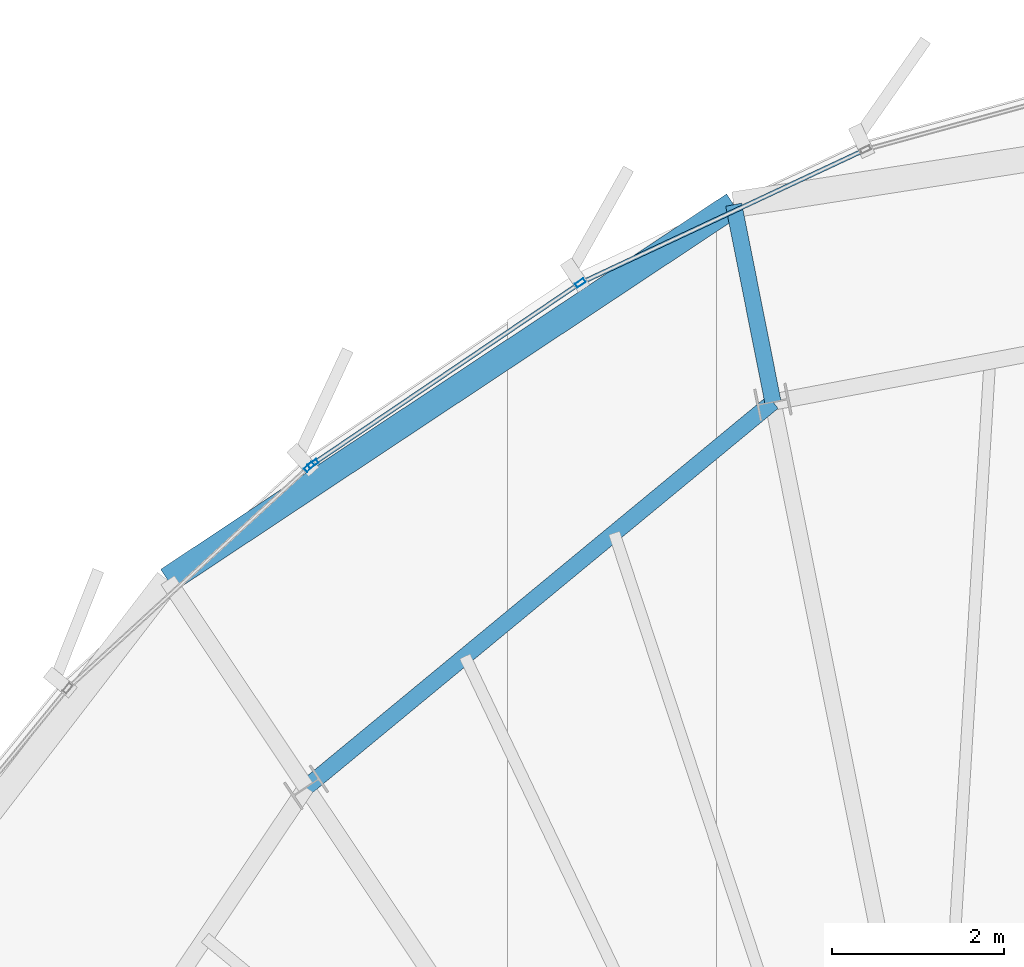
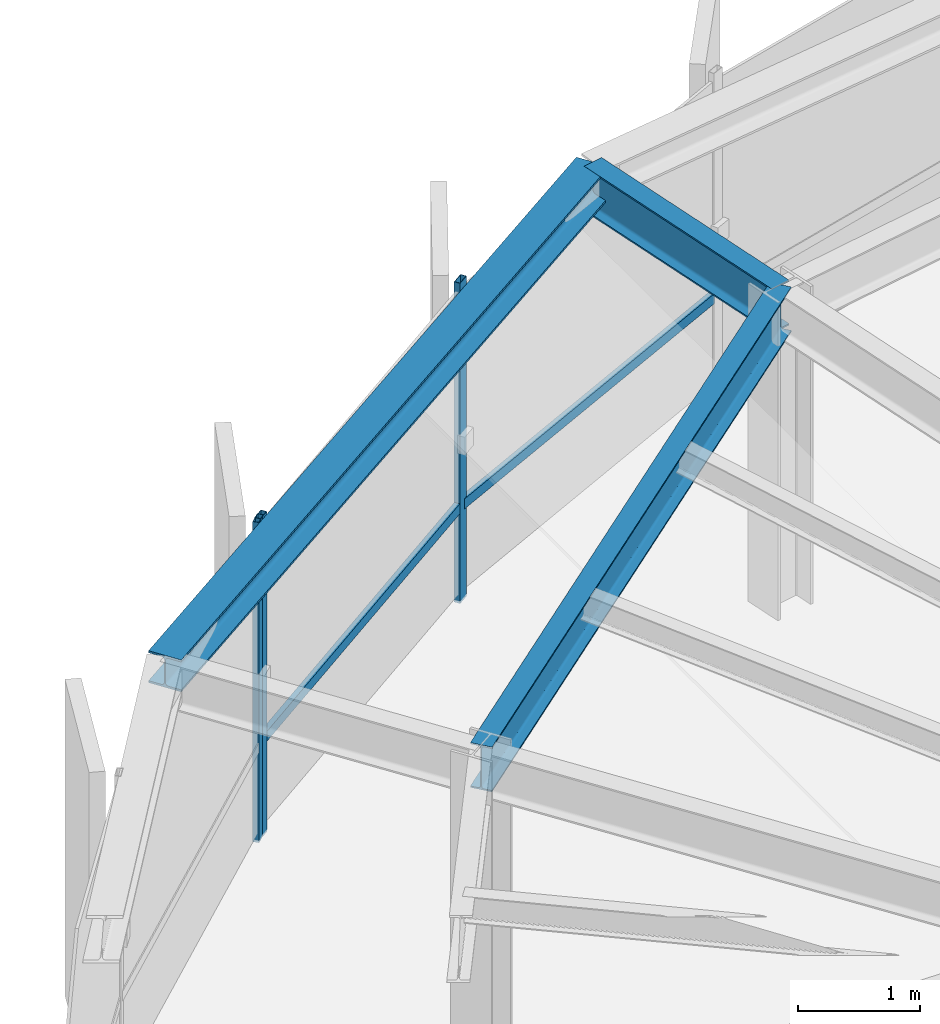
# One storey, part 19 of 31: 5 members, 3 beams, 2 elements without a shape of their own.
"""IFC4 building model written with IfcOpenShell, lengths in metres."""

from ifc_helpers import new_model, si_unit, direction, frame, origin, origin_2d, place, context, subcontext, project, spatial, hollow_rectangle, i_section, extrude, source, transform, mapped, material, layer, layer_set, material_profile, profile_set, type_object, element, aggregate, save


model = new_model("IFC4")

# Units and contexts
model_context = context("Model", 3, precision=1e-05, world=origin(), true_north=direction((0.0, 1.0)))
body_context = subcontext(model_context, "Body", "Model", "MODEL_VIEW")
ifc_project = project(units=[si_unit("LENGTHUNIT", "METRE"), si_unit("AREAUNIT", "SQUARE_METRE"), si_unit("VOLUMEUNIT", "CUBIC_METRE"), si_unit("PLANEANGLEUNIT", "RADIAN"), si_unit("MASSUNIT", "GRAM", prefix="KILO"), si_unit("THERMODYNAMICTEMPERATUREUNIT", "KELVIN")], contexts=[model_context])

# Site, building, storey
site_placement = place(None, origin())
site = spatial("IfcSite", under=ifc_project, at=site_placement, CompositionType="ELEMENT")
building_placement = place(site_placement, origin())
building = spatial("IfcBuilding", under=site, at=building_placement, Name="Kethvar Cultural Tower", CompositionType="ELEMENT")
storey_placement = place(building_placement, frame((0.0, 0.0, 287.050048828125)))
storey = spatial("IfcBuildingStorey", under=building, at=storey_placement, Name="L76", CompositionType="ELEMENT", Elevation=287.050048828125)

# Beams
ifc_material_1 = material(Name="Steel S355J2", Category="steel")
ifc_material_profile_1 = material_profile(ifc_material_1, i_section(OverallWidth=0.18994140625, OverallDepth=0.449951171875, WebThickness=0.009521484375, FlangeThickness=0.0146484375, FilletRadius=0.02099609375, at=origin_2d()), Name="Steel S355J2 — IPE450")
ifc_profile_set_1 = profile_set([ifc_material_profile_1], Name="Steel S355J2 — IPE450")
beam_type_1 = type_object("IfcBeamType", Name="BM-IPE450", PredefinedType="BEAM", material=ifc_profile_set_1)
shared_shape_1 = source(origin(), body_context, "Body", "SweptSolid", [
    extrude(i_section(OverallWidth=0.18994140625, OverallDepth=0.449951171875, WebThickness=0.009521484375, FlangeThickness=0.0146484375, FilletRadius=0.02099609375, at=origin_2d()), origin(), (0.0, 0.0, 1.0), 7.03271484375),
])
beam_1_placement = place(storey_placement, frame((43.23291015625, 45.732421875, 2.98291015625), z_axis=(-0.771161072103, -0.636640087391, 0.0), x_axis=(0.636640087391, -0.771161072103, 0.0)))
element("IfcBeam", 1, at=beam_1_placement, inside=storey, type_object=beam_type_1, Name="L76 Column Ring Tie Beam CR-05", PredefinedType="BEAM", context=body_context, shape_type="MappedRepresentation", body=[
    mapped(shared_shape_1, transform((0.0, 0.0, 0.0), scale=1.0)),
])
shared_shape_2 = source(origin(), body_context, "Body", "SweptSolid", [
    extrude(i_section(OverallWidth=0.18994140625, OverallDepth=0.449951171875, WebThickness=0.009521484375, FlangeThickness=0.0146484375, FilletRadius=0.02099609375, at=origin_2d()), origin(), (0.0, 0.0, 1.0), 2.338134765625),
])
beam_2_placement = place(storey_placement, frame((43.23291015625, 45.732421875, 2.98291015625), z_axis=(-0.195051765025, 0.980792949078, 0.0), x_axis=(-0.980792949078, -0.195051765025, 0.0)))
element("IfcBeam", 2, at=beam_2_placement, inside=storey, type_object=beam_type_1, Name="L76 Perimeter Cantilever Beam RC-05", PredefinedType="BEAM", context=body_context, shape_type="MappedRepresentation", body=[
    mapped(shared_shape_2, transform((0.0, 0.0, 0.0), scale=1.0)),
])
ifc_material_profile_2 = material_profile(ifc_material_1, i_section(OverallWidth=0.300048828125, OverallDepth=0.320068359375, WebThickness=0.011474609375, FlangeThickness=0.0205078125, FilletRadius=0.027099609375, at=origin_2d()), Name="Steel S355J2 — HEB320")
ifc_profile_set_2 = profile_set([ifc_material_profile_2], Name="Steel S355J2 — HEB320")
beam_type_2 = type_object("IfcBeamType", Name="BM-SP320", PredefinedType="SPANDREL", material=ifc_profile_set_2)
shared_shape_3 = source(origin(), body_context, "Body", "SweptSolid", [
    extrude(i_section(OverallWidth=0.300048828125, OverallDepth=0.320068359375, WebThickness=0.011474609375, FlangeThickness=0.0205078125, FilletRadius=0.027099609375, at=origin_2d()), origin(), (0.0, 0.0, 1.0), 7.8916015625),
])
beam_3_placement = place(storey_placement, frame((42.77685546875, 48.025634765625, 3.0478515625), z_axis=(-0.833271448351, -0.552864082179, 0.0), x_axis=(0.552864082179, -0.833271448351, 0.0)))
element("IfcBeam", 3, at=beam_3_placement, inside=storey, type_object=beam_type_2, Name="L76 Perimeter Spandrel Beam SP-05", PredefinedType="SPANDREL", context=body_context, shape_type="MappedRepresentation", body=[
    mapped(shared_shape_3, transform((0.0, 0.0, 0.0), scale=1.0)),
])

# Curtain wall, members
ifc_material_2 = material(Name="Aluminium 6063-T6", Category="aluminium")
ifc_layer = layer(ifc_material_2, 0.179931640625, Name="Aluminium 6063-T6", Category="aluminium")
ifc_layer_set = layer_set([ifc_layer], Name="Aluminium 6063-T6 (180 mm)")
curtain_wall_type = type_object("IfcCurtainWallType", Name="CW-SYS-05-Z56", PredefinedType="NOTDEFINED", material=ifc_layer_set)
curtain_wall_1_placement = place(storey_placement, origin())
curtain_wall_1 = element("IfcCurtainWall", 4, at=curtain_wall_1_placement, inside=storey, type_object=curtain_wall_type, Name="L76 Curtain Wall Run 01", PredefinedType="NOTDEFINED")
ifc_material_profile_3 = material_profile(ifc_material_2, hollow_rectangle(XDim=0.054931640625, YDim=0.1201171875, WallThickness=0.00390625, at=origin_2d()), Name="Aluminium 6063-T6 — RHS120x55x4")
ifc_profile_set_3 = profile_set([ifc_material_profile_3], Name="Aluminium 6063-T6 — RHS120x55x4")
member_type_1 = type_object("IfcMemberType", Name="CW-SYS-05-Z56-MUL", PredefinedType="MULLION", material=ifc_profile_set_3)
shared_shape_4 = source(origin(), body_context, "Body", "SweptSolid", [
    extrude(hollow_rectangle(XDim=0.054931640625, YDim=0.1201171875, WallThickness=0.00390625, at=origin_2d()), origin(), (0.0, 0.0, 1.0), 3.2099609375),
])
member_1_placement = place(storey_placement, frame((40.99560546875, 47.116455078125, 0.0), z_axis=(0.0, 0.0, 1.0), x_axis=(0.560277631725, -0.828304880698, 0.0)))
member_1 = element("IfcMember", 5, at=member_1_placement, type_object=member_type_1, Name="CW-L76-R01 Mullion 6", PredefinedType="MULLION", context=body_context, shape_type="MappedRepresentation", body=[
    mapped(shared_shape_4, transform((0.0, 0.0, 0.0), scale=1.0)),
])
member_2_placement = place(storey_placement, frame((37.8896484375, 45.015380859375, 0.0), z_axis=(0.0, 0.0, 1.0), x_axis=(0.560277631725, -0.828304880698, 0.0)))
member_2 = element("IfcMember", 6, at=member_2_placement, type_object=member_type_1, Name="CW-L76-R01 Mullion 7", PredefinedType="MULLION", context=body_context, shape_type="MappedRepresentation", body=[
    mapped(shared_shape_4, transform((0.0, 0.0, 0.0), scale=1.0)),
])

# Curtain wall, member
curtain_wall_2_placement = place(storey_placement, origin())
curtain_wall_2 = element("IfcCurtainWall", 7, at=curtain_wall_2_placement, inside=storey, type_object=curtain_wall_type, Name="L76 Curtain Wall Run 02", PredefinedType="NOTDEFINED")
member_3_placement = place(storey_placement, frame((37.845458984375, 44.98046875, 0.0), z_axis=(0.0, 0.0, 1.0), x_axis=(0.676104759618, -0.736805506238, 0.0)))
member_3 = element("IfcMember", 8, at=member_3_placement, type_object=member_type_1, Name="CW-L76-R02 Mullion 1", PredefinedType="MULLION", context=body_context, shape_type="MappedRepresentation", body=[
    mapped(shared_shape_4, transform((0.0, 0.0, 0.0), scale=1.0)),
])
aggregate(curtain_wall_2, [member_3])

# Member
ifc_material_profile_4 = material_profile(ifc_material_2, hollow_rectangle(XDim=0.050048828125, YDim=0.10009765625, WallThickness=0.00390625, at=origin_2d()), Name="Aluminium 6063-T6 — RHS100x50x4")
ifc_profile_set_4 = profile_set([ifc_material_profile_4], Name="Aluminium 6063-T6 — RHS100x50x4")
member_type_2 = type_object("IfcMemberType", Name="CW-SYS-05-Z56-TRN", PredefinedType="USERDEFINED", material=ifc_profile_set_4)
shared_shape_5 = source(origin(), body_context, "Body", "SweptSolid", [
    extrude(hollow_rectangle(XDim=0.050048828125, YDim=0.10009765625, WallThickness=0.00390625, at=origin_2d()), origin(), (0.0, 0.0, 1.0), 3.594970703125),
])
member_4_placement = place(storey_placement, frame((44.273681640625, 48.650390625, 0.949951171875), z_axis=(-0.905583679941, -0.424167653912, 0.0), x_axis=(0.424167653912, -0.905583679941, 0.0)))
member_4 = element("IfcMember", 9, at=member_4_placement, type_object=member_type_2, Name="CW-L76-R01 Transom 5", ObjectType="TRANSOM", PredefinedType="USERDEFINED", context=body_context, shape_type="MappedRepresentation", body=[
    mapped(shared_shape_5, transform((0.0, 0.0, 0.0), scale=1.0)),
])

shared_shape_6 = source(origin(), body_context, "Body", "SweptSolid", [
    extrude(hollow_rectangle(XDim=0.050048828125, YDim=0.10009765625, WallThickness=0.00390625, at=origin_2d()), origin(), (0.0, 0.0, 1.0), 3.70654296875),
])
member_5_placement = place(storey_placement, frame((40.962890625, 47.09423828125, 0.949951171875), z_axis=(-0.828302293793, -0.560281456143, 0.0), x_axis=(0.560281456143, -0.828302293793, 0.0)))
member_5 = element("IfcMember", 10, at=member_5_placement, type_object=member_type_2, Name="CW-L76-R01 Transom 6", ObjectType="TRANSOM", PredefinedType="USERDEFINED", context=body_context, shape_type="MappedRepresentation", body=[
    mapped(shared_shape_6, transform((0.0, 0.0, 0.0), scale=1.0)),
])

aggregate(curtain_wall_1, [member_1, member_2, member_4, member_5])

save(model, "model.ifc")
